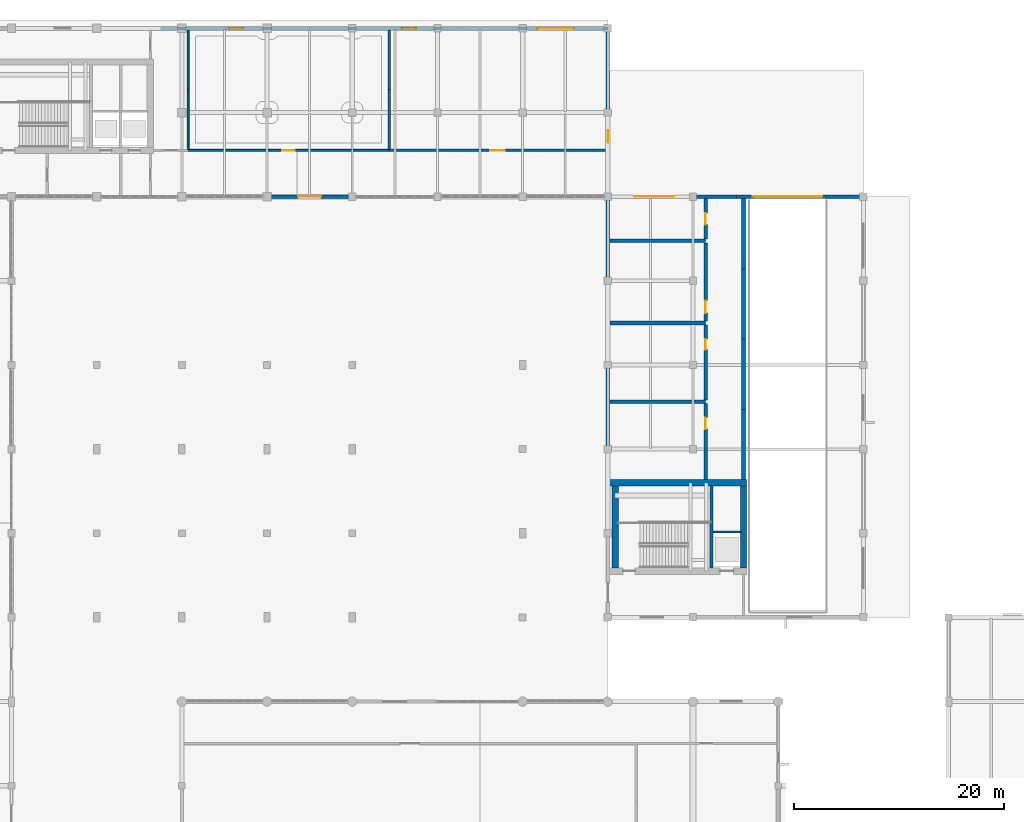
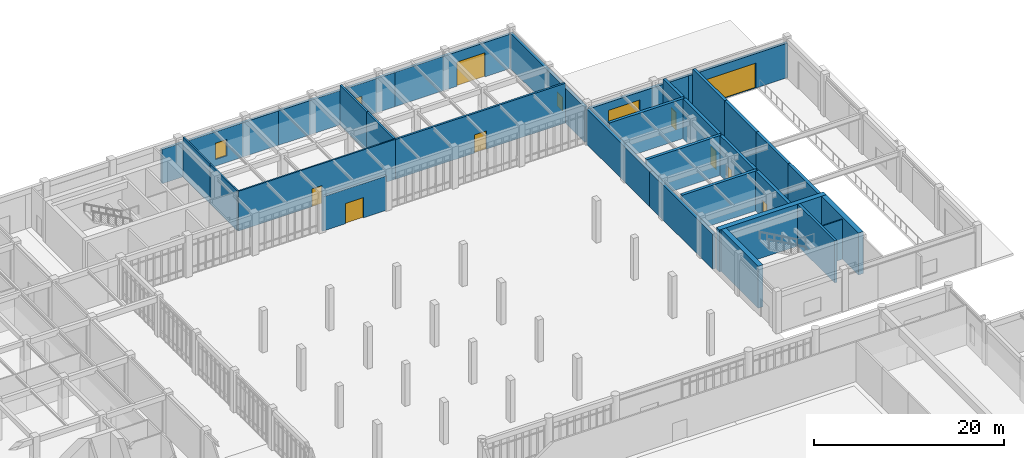
# One storey, part 47 of 62: 31 walls, 10 doors, 3 windows, 13 openings.
"""IFC4 building model written with IfcOpenShell, lengths in metres."""

from ifc_helpers import new_model, si_unit, direction, frame, frame_2d, origin, place, context, subcontext, project, spatial, rectangle, extrude, material, layer, layer_set, type_object, element, fill, save


model = new_model("IFC4")

# Units and contexts
model_context = context("Model", 3, precision=1e-05, world=origin(), true_north=direction((0.0, 1.0)))
body_context = subcontext(model_context, "Body", "Model", "MODEL_VIEW")
ifc_project = project(units=[si_unit("LENGTHUNIT", "METRE"), si_unit("AREAUNIT", "SQUARE_METRE"), si_unit("VOLUMEUNIT", "CUBIC_METRE"), si_unit("PLANEANGLEUNIT", "RADIAN"), si_unit("MASSUNIT", "GRAM", prefix="KILO")], contexts=[model_context])

# Site, building, storey
site_placement = place(None, origin())
site = spatial("IfcSite", under=ifc_project, at=site_placement, CompositionType="ELEMENT")
building_placement = place(site_placement, origin())
building = spatial("IfcBuilding", under=site, at=building_placement, Name="Tarnveldt Square Police Headquarters", CompositionType="ELEMENT")
storey_placement = place(building_placement, origin())
storey = spatial("IfcBuildingStorey", under=building, at=storey_placement, Name="L00", CompositionType="ELEMENT", Elevation=0.0)

# Walls
ifc_material_1 = material(Name="Concrete 50 MPa", Category="concrete")
ifc_layer_1 = layer(ifc_material_1, 0.449951171875)
ifc_layer_set_1 = layer_set([ifc_layer_1], Name="Concrete 50 MPa")
wall_type_1 = type_object("IfcWallType", Name="WL-CORE-450", PredefinedType="SHEAR", material=ifc_layer_set_1)
wall_1_placement = place(storey_placement, frame((115.14990234375, 60.699951171875, 0.0), z_axis=(0.0, 0.0, 1.0), x_axis=(0.0, 1.0, 0.0)))
element("IfcWall", 1, at=wall_1_placement, inside=storey, type_object=wall_type_1, Name="Core K4 East Custody and Tactical Core L00 Stair-Lift Divider Shear Wall", PredefinedType="SHEAR", context=body_context, shape_type="SweptSolid", body=[
    extrude(rectangle(XDim=7.800048828125, YDim=0.300048828125, at=frame_2d((3.89990234375, 0.0))), origin(), (0.0, 0.0, 1.0), 5.39990234375),
])
ifc_layer_2 = layer(ifc_material_1, 0.60009765625)
ifc_layer_set_2 = layer_set([ifc_layer_2], Name="Concrete 50 MPa")
wall_type_2 = type_object("IfcWallType", Name="WL-CORE-600", PredefinedType="SHEAR", material=ifc_layer_set_2)
wall_2_placement = place(storey_placement, frame((105.47998046875, 68.800048828125, 0.0), z_axis=(0.0, 0.0, 1.0), x_axis=(1.0, 0.0, 0.0)))
element("IfcWall", 2, at=wall_2_placement, inside=storey, type_object=wall_type_2, Name="Core K4 East Custody and Tactical Core L00 North Shear Wall", PredefinedType="SHEAR", context=body_context, shape_type="SweptSolid", body=[
    extrude(rectangle(XDim=13.02001953125, YDim=0.60009765625, at=frame_2d((6.510009765625, 0.0))), origin(), (0.0, 0.0, 1.0), 5.39990234375),
])
for number, where, z_axis, x_axis, name in (
    (3, (106.0, 60.699951171875, 0.0), (0.0, 0.0, 1.0), (0.0, 1.0, 0.0), "Core K4 East Custody and Tactical Core L00 West Shear Wall"),
    (4, (118.199951171875, 60.699951171875, 0.0), (0.0, 0.0, 1.0), (0.0, 1.0, 0.0), "Core K4 East Custody and Tactical Core L00 East Shear Wall"),
):
    element("IfcWall", number, at=place(storey_placement, frame(where, z_axis=z_axis, x_axis=x_axis)), inside=storey, type_object=wall_type_2, Name=name, PredefinedType="SHEAR", context=body_context, shape_type="SweptSolid", body=[
        extrude(rectangle(XDim=7.800048828125, YDim=0.60009765625, at=frame_2d((3.89990234375, 0.0))), origin(), (0.0, 0.0, 1.0), 5.39990234375),
    ])

# Wall, opening, window
ifc_material_2 = material(Name="Concrete 40 MPa", Category="concrete")
ifc_layer_3 = layer(ifc_material_2, 0.35009765625)
ifc_layer_set_3 = layer_set([ifc_layer_3], Name="Concrete 40 MPa")
wall_type_3 = type_object("IfcWallType", Name="WL-CUST-350", PredefinedType="SOLIDWALL", material=ifc_layer_set_3)
wall_3_placement = place(storey_placement, frame((105.300048828125, 96.179931640625, 0.0), z_axis=(0.0, 0.0, 1.0), x_axis=(0.0, 1.0, 0.0)))
wall_3 = element("IfcWall", 5, at=wall_3_placement, inside=storey, type_object=wall_type_3, Name="L00 Brutalist Exterior Wall 0031", PredefinedType="SOLIDWALL", context=body_context, shape_type="SweptSolid", body=[
    extrude(rectangle(XDim=15.820068359375, YDim=0.35009765625, at=frame_2d((7.91015625, 0.0))), origin(), (0.0, 0.0, 1.0), 4.511962890625),
])
opening_1_placement = place(wall_3_placement, frame((4.949951171875, 0.0, 0.949951171875)))
opening_1 = element("IfcOpeningElement", 6, at=opening_1_placement, cuts=wall_3, Name="Opening W04", PredefinedType="OPENING", context=body_context, shape_type="SweptSolid", body=[
    extrude(rectangle(XDim=1.199951171875, YDim=1.800048828125, at=frame_2d((0.60009765625, 0.89990234375))), frame((0.0, 0.18505859375, 0.0), z_axis=(0.0, -1.0, 0.0), x_axis=(1.0, 0.0, 0.0)), (0.0, 0.0, 1.0), 0.3701171875),
])
ifc_material_3 = material(Name="Triple-glazed low-e laminated vision glass", Category="glass")
window_type_1 = type_object("IfcWindowType", Name="WIN-DR-120x180", PartitioningType="SINGLE_PANEL", PredefinedType="WINDOW", material=ifc_material_3)
window_1_placement = place(opening_1_placement, origin())
window_1 = element("IfcWindow", 7, at=window_1_placement, inside=storey, type_object=window_type_1, Name="L00 Deep-Reveal Brutalist Window 0004", OverallHeight=1.800048828125, OverallWidth=1.199951171875, PartitioningType="SINGLE_PANEL", PredefinedType="WINDOW", context=body_context, shape_type="SweptSolid", body=[
    extrude(rectangle(XDim=1.199951171875, YDim=1.800048828125, at=frame_2d((0.60009765625, 0.89990234375))), frame((0.0, 0.030029296875, 0.0), z_axis=(0.0, -1.0, 0.0), x_axis=(1.0, 0.0, 0.0)), (0.0, 0.0, 1.0), 0.06005859375),
])
fill(opening_1, window_1)

# Wall, opening, door
wall_4_placement = place(storey_placement, frame((129.60009765625, 96.0, 0.0), z_axis=(0.0, 0.0, 1.0), x_axis=(-1.0, 0.0, 0.0)))
wall_4 = element("IfcWall", 8, at=wall_4_placement, inside=storey, type_object=wall_type_3, Name="L00 Brutalist Exterior Wall 0054", PredefinedType="SOLIDWALL", context=body_context, shape_type="SweptSolid", body=[
    extrude(rectangle(XDim=12.06005859375, YDim=0.35009765625, at=frame_2d((6.030029296875, 0.0))), origin(), (0.0, 0.0, 1.0), 4.424072265625),
])
opening_2_placement = place(wall_4_placement, frame((3.89990234375, 0.0, 0.0)))
opening_2 = element("IfcOpeningElement", 9, at=opening_2_placement, cuts=wall_4, Name="Opening D-VR1", PredefinedType="OPENING", context=body_context, shape_type="SweptSolid", body=[
    extrude(rectangle(XDim=6.60009765625, YDim=3.199951171875, at=frame_2d((3.300048828125, 1.60009765625))), frame((0.0, 0.18505859375, 0.0), z_axis=(0.0, -1.0, 0.0), x_axis=(1.0, 0.0, 0.0)), (0.0, 0.0, 1.0), 0.3701171875),
])
ifc_material_4 = material(Name="Steel 350W", Category="steel")
door_type_1 = type_object("IfcDoorType", Name="GT-VR1-6600", OperationType="ROLLINGUP", PredefinedType="GATE", material=ifc_material_4)
door_1_placement = place(opening_2_placement, frame((6.60009765625, 0.0, 0.0), z_axis=(0.0, 0.0, 1.0), x_axis=(-1.0, 0.0, 0.0)))
door_1 = element("IfcDoor", 10, at=door_1_placement, inside=storey, type_object=door_type_1, Name="Vehicle Ramp VR1 Security Roller Shutter Gate D-VR1", OperationType="ROLLINGUP", OverallHeight=3.199951171875, OverallWidth=6.60009765625, PredefinedType="GATE", context=body_context, shape_type="SweptSolid", body=[
    extrude(rectangle(XDim=6.60009765625, YDim=3.199951171875, at=frame_2d((3.300048828125, 1.60009765625))), frame((0.0, 0.02490234375, 0.0), z_axis=(0.0, -1.0, 0.0), x_axis=(1.0, 0.0, 0.0)), (0.0, 0.0, 1.0), 0.050048828125),
])
fill(opening_2, door_1)

wall_5_placement = place(storey_placement, frame((117.5400390625, 96.0, 0.0), z_axis=(0.0, 0.0, 1.0), x_axis=(-1.0, 0.0, 0.0)))
wall_5 = element("IfcWall", 11, at=wall_5_placement, inside=storey, type_object=wall_type_3, Name="L00 Brutalist Exterior Wall 0055", PredefinedType="SOLIDWALL", context=body_context, shape_type="SweptSolid", body=[
    extrude(rectangle(XDim=12.06005859375, YDim=0.35009765625, at=frame_2d((6.030029296875, 0.0))), origin(), (0.0, 0.0, 1.0), 4.424072265625),
])
opening_3_placement = place(wall_5_placement, frame((5.93896484375, 0.0, 0.0)))
opening_3 = element("IfcOpeningElement", 12, at=opening_3_placement, cuts=wall_5, Name="Opening D-SP1", PredefinedType="OPENING", context=body_context, shape_type="SweptSolid", body=[
    extrude(rectangle(XDim=3.800048828125, YDim=3.39990234375, at=frame_2d((1.89990234375, 1.699951171875))), frame((0.0, 0.18505859375, 0.0), z_axis=(0.0, -1.0, 0.0), x_axis=(1.0, 0.0, 0.0)), (0.0, 0.0, 1.0), 0.3701171875),
])
door_type_2 = type_object("IfcDoorType", Name="GT-SP-3800", OperationType="ROLLINGUP", PredefinedType="GATE", material=ifc_material_4)
door_2_placement = place(opening_3_placement, frame((3.800048828125, 0.0, 0.0), z_axis=(0.0, 0.0, 1.0), x_axis=(-1.0, 0.0, 0.0)))
door_2 = element("IfcDoor", 13, at=door_2_placement, inside=storey, type_object=door_type_2, Name="Secure Vehicular Sally-Port Gate D-SP1", OperationType="ROLLINGUP", OverallHeight=3.39990234375, OverallWidth=3.800048828125, PredefinedType="GATE", context=body_context, shape_type="SweptSolid", body=[
    extrude(rectangle(XDim=3.800048828125, YDim=3.39990234375, at=frame_2d((1.89990234375, 1.699951171875))), frame((0.0, 0.02490234375, 0.0), z_axis=(0.0, -1.0, 0.0), x_axis=(1.0, 0.0, 0.0)), (0.0, 0.0, 1.0), 0.050048828125),
])
fill(opening_3, door_2)

# Walls
wall_6_placement = place(storey_placement, frame((105.300048828125, 95.820068359375, 0.0), z_axis=(0.0, 0.0, 1.0), x_axis=(0.0, -1.0, 0.0)))
element("IfcWall", 14, at=wall_6_placement, inside=storey, type_object=wall_type_3, Name="L00 Brutalist Exterior Wall 0056", PredefinedType="SOLIDWALL", context=body_context, shape_type="SweptSolid", body=[
    extrude(rectangle(XDim=13.2734375, YDim=0.35009765625, at=frame_2d((6.63671875, 0.0))), origin(), (0.0, 0.0, 1.0), 4.511962890625),
])
wall_7_placement = place(storey_placement, frame((105.300048828125, 82.546630859375, 0.0), z_axis=(0.0, 0.0, 1.0), x_axis=(0.0, -1.0, 0.0)))
element("IfcWall", 15, at=wall_7_placement, inside=storey, type_object=wall_type_3, Name="L00 Brutalist Exterior Wall 0057", PredefinedType="SOLIDWALL", context=body_context, shape_type="SweptSolid", body=[
    extrude(rectangle(XDim=13.273193359375, YDim=0.35009765625, at=frame_2d((6.63671875, 0.0))), origin(), (0.0, 0.0, 1.0), 4.511962890625),
])
for number, where, z_axis, x_axis, name in (
    (16, (105.48291015625, 76.5, 0.0), (0.0, 0.0, 1.0), (1.0, 0.0, 0.0), "L00 Interior Partition Wall 0136"),
    (17, (105.48291015625, 84.0, 0.0), (0.0, 0.0, 1.0), (1.0, 0.0, 0.0), "L00 Interior Partition Wall 0137"),
    (18, (105.48291015625, 91.800048828125, 0.0), (0.0, 0.0, 1.0), (1.0, 0.0, 0.0), "L00 Interior Partition Wall 0138"),
):
    element("IfcWall", number, at=place(storey_placement, frame(where, z_axis=z_axis, x_axis=x_axis)), inside=storey, type_object=wall_type_3, Name=name, PredefinedType="SOLIDWALL", context=body_context, shape_type="SweptSolid", body=[
        extrude(rectangle(XDim=9.1171875, YDim=0.35009765625, at=frame_2d((4.55859375, 0.0))), origin(), (0.0, 0.0, 1.0), 5.1201171875),
    ])

# Wall, opening, door
wall_8_placement = place(storey_placement, frame((114.60009765625, 69.10791015625, 0.0), z_axis=(0.0, 0.0, 1.0), x_axis=(0.0, 1.0, 0.0)))
wall_8 = element("IfcWall", 19, at=wall_8_placement, inside=storey, type_object=wall_type_3, Name="L00 Interior Partition Wall 0193", PredefinedType="SOLIDWALL", context=body_context, shape_type="SweptSolid", body=[
    extrude(rectangle(XDim=7.208984375, YDim=0.35009765625, at=frame_2d((3.6044921875, 0.0))), origin(), (0.0, 0.0, 1.0), 5.1201171875),
])
opening_4_placement = place(wall_8_placement, frame((4.78466796875, 0.0, 0.0)))
opening_4 = element("IfcOpeningElement", 20, at=opening_4_placement, cuts=wall_8, Name="Opening D12", PredefinedType="OPENING", context=body_context, shape_type="SweptSolid", body=[
    extrude(rectangle(XDim=1.10009765625, YDim=2.25, at=frame_2d((0.550048828125, 1.125))), frame((0.0, 0.18505859375, 0.0), z_axis=(0.0, -1.0, 0.0), x_axis=(1.0, 0.0, 0.0)), (0.0, 0.0, 1.0), 0.3701171875),
])
door_type_3 = type_object("IfcDoorType", Name="DR-SEC-1100", OperationType="NOTDEFINED", PredefinedType="DOOR", material=ifc_material_4)
door_3_placement = place(opening_4_placement, origin())
door_3 = element("IfcDoor", 21, at=door_3_placement, inside=storey, type_object=door_type_3, Name="Custody Suite Booking and Charge Desk Door", OperationType="SINGLE_SWING_LEFT", OverallHeight=2.25, OverallWidth=1.10009765625, PredefinedType="DOOR", context=body_context, shape_type="SweptSolid", body=[
    extrude(rectangle(XDim=1.10009765625, YDim=2.25, at=frame_2d((0.550048828125, 1.125))), frame((0.0, 0.02490234375, 0.0), z_axis=(0.0, -1.0, 0.0), x_axis=(1.0, 0.0, 0.0)), (0.0, 0.0, 1.0), 0.050048828125),
])
fill(opening_4, door_3)

wall_9_placement = place(storey_placement, frame((114.60009765625, 76.68310546875, 0.0), z_axis=(0.0, 0.0, 1.0), x_axis=(0.0, 1.0, 0.0)))
wall_9 = element("IfcWall", 22, at=wall_9_placement, inside=storey, type_object=wall_type_3, Name="L00 Interior Partition Wall 0194", PredefinedType="SOLIDWALL", context=body_context, shape_type="SweptSolid", body=[
    extrude(rectangle(XDim=7.1337890625, YDim=0.35009765625, at=frame_2d((3.56689453125, 0.0))), origin(), (0.0, 0.0, 1.0), 5.1201171875),
])
opening_5_placement = place(wall_9_placement, frame((4.779052734375, 0.0, 0.0)))
opening_5 = element("IfcOpeningElement", 23, at=opening_5_placement, cuts=wall_9, Name="Opening D11", PredefinedType="OPENING", context=body_context, shape_type="SweptSolid", body=[
    extrude(rectangle(XDim=1.0, YDim=2.10009765625, at=frame_2d((0.5, 1.050048828125))), frame((0.0, 0.18505859375, 0.0), z_axis=(0.0, -1.0, 0.0), x_axis=(1.0, 0.0, 0.0)), (0.0, 0.0, 1.0), 0.3701171875),
])
door_type_4 = type_object("IfcDoorType", Name="DR-CELL-1000", OperationType="SLIDING_TO_LEFT", PredefinedType="DOOR", material=ifc_material_4)
door_4_placement = place(opening_5_placement, origin())
door_4 = element("IfcDoor", 24, at=door_4_placement, inside=storey, type_object=door_type_4, Name="Custody Suite Adult Holding Cells Door", OperationType="SLIDING_TO_LEFT", OverallHeight=2.10009765625, OverallWidth=1.0, PredefinedType="DOOR", context=body_context, shape_type="SweptSolid", body=[
    extrude(rectangle(XDim=1.0, YDim=2.10009765625, at=frame_2d((0.5, 1.050048828125))), frame((0.0, 0.02490234375, 0.0), z_axis=(0.0, -1.0, 0.0), x_axis=(1.0, 0.0, 0.0)), (0.0, 0.0, 1.0), 0.050048828125),
])
fill(opening_5, door_4)

wall_10_placement = place(storey_placement, frame((114.60009765625, 84.18310546875, 0.0), z_axis=(0.0, 0.0, 1.0), x_axis=(0.0, 1.0, 0.0)))
wall_10 = element("IfcWall", 25, at=wall_10_placement, inside=storey, type_object=wall_type_3, Name="L00 Interior Partition Wall 0195", PredefinedType="SOLIDWALL", context=body_context, shape_type="SweptSolid", body=[
    extrude(rectangle(XDim=7.433837890625, YDim=0.35009765625, at=frame_2d((3.716796875, 0.0))), origin(), (0.0, 0.0, 1.0), 5.1201171875),
])
opening_6_placement = place(wall_10_placement, frame((0.738037109375, 0.0, 0.0)))
opening_6 = element("IfcOpeningElement", 26, at=opening_6_placement, cuts=wall_10, Name="Opening D13", PredefinedType="OPENING", context=body_context, shape_type="SweptSolid", body=[
    extrude(rectangle(XDim=1.199951171875, YDim=2.35009765625, at=frame_2d((0.60009765625, 1.175048828125))), frame((0.0, 0.18505859375, 0.0), z_axis=(0.0, -1.0, 0.0), x_axis=(1.0, 0.0, 0.0)), (0.0, 0.0, 1.0), 0.3701171875),
])
door_type_5 = type_object("IfcDoorType", Name="DR-SEC-1200", OperationType="NOTDEFINED", PredefinedType="DOOR", material=ifc_material_4)
door_5_placement = place(opening_6_placement, origin())
door_5 = element("IfcDoor", 27, at=door_5_placement, inside=storey, type_object=door_type_5, Name="Drive-Through Vehicular Sally Port Door", OperationType="SINGLE_SWING_RIGHT", OverallHeight=2.35009765625, OverallWidth=1.199951171875, PredefinedType="DOOR", context=body_context, shape_type="SweptSolid", body=[
    extrude(rectangle(XDim=1.199951171875, YDim=2.35009765625, at=frame_2d((0.60009765625, 1.175048828125))), frame((0.0, 0.02490234375, 0.0), z_axis=(0.0, -1.0, 0.0), x_axis=(1.0, 0.0, 0.0)), (0.0, 0.0, 1.0), 0.050048828125),
])
fill(opening_6, door_5)

wall_11_placement = place(storey_placement, frame((114.60009765625, 91.98291015625, 0.0), z_axis=(0.0, 0.0, 1.0), x_axis=(0.0, 1.0, 0.0)))
wall_11 = element("IfcWall", 28, at=wall_11_placement, inside=storey, type_object=wall_type_3, Name="L00 Interior Partition Wall 0196", PredefinedType="SOLIDWALL", context=body_context, shape_type="SweptSolid", body=[
    extrude(rectangle(XDim=3.833984375, YDim=0.35009765625, at=frame_2d((1.9169921875, 0.0))), origin(), (0.0, 0.0, 1.0), 5.1201171875),
])
opening_7_placement = place(wall_11_placement, frame((1.366943359375, 0.0, 0.0)))
opening_7 = element("IfcOpeningElement", 29, at=opening_7_placement, cuts=wall_11, Name="Opening D12", PredefinedType="OPENING", context=body_context, shape_type="SweptSolid", body=[
    extrude(rectangle(XDim=1.10009765625, YDim=2.25, at=frame_2d((0.550048828125, 1.125))), frame((0.0, 0.18505859375, 0.0), z_axis=(0.0, -1.0, 0.0), x_axis=(1.0, 0.0, 0.0)), (0.0, 0.0, 1.0), 0.3701171875),
])
door_6_placement = place(opening_7_placement, origin())
door_6 = element("IfcDoor", 30, at=door_6_placement, inside=storey, type_object=door_type_3, Name="Custody North Exit Corridor Door", OperationType="SINGLE_SWING_LEFT", OverallHeight=2.25, OverallWidth=1.10009765625, PredefinedType="DOOR", context=body_context, shape_type="SweptSolid", body=[
    extrude(rectangle(XDim=1.10009765625, YDim=2.25, at=frame_2d((0.550048828125, 1.125))), frame((0.0, 0.02490234375, 0.0), z_axis=(0.0, -1.0, 0.0), x_axis=(1.0, 0.0, 0.0)), (0.0, 0.0, 1.0), 0.050048828125),
])
fill(opening_7, door_6)

# Walls
for number, where, z_axis, x_axis, name in (
    (31, (118.199951171875, 69.10791015625, 0.0), (0.0, 0.0, 1.0), (0.0, 1.0, 0.0), "L00 Interior Partition Wall 0198"),
    (32, (118.199951171875, 75.78515625, 0.0), (0.0, 0.0, 1.0), (0.0, 1.0, 0.0), "L00 Interior Partition Wall 0199"),
    (33, (118.199951171875, 82.46240234375, 0.0), (0.0, 0.0, 1.0), (0.0, 1.0, 0.0), "L00 Interior Partition Wall 0200"),
    (34, (118.199951171875, 89.1396484375, 0.0), (0.0, 0.0, 1.0), (0.0, 1.0, 0.0), "L00 Interior Partition Wall 0201"),
):
    element("IfcWall", number, at=place(storey_placement, frame(where, z_axis=z_axis, x_axis=x_axis)), inside=storey, type_object=wall_type_3, Name=name, PredefinedType="SOLIDWALL", context=body_context, shape_type="SweptSolid", body=[
        extrude(rectangle(XDim=6.67724609375, YDim=0.35009765625, at=frame_2d((3.338623046875, 0.0))), origin(), (0.0, 0.0, 1.0), 5.1201171875),
    ])

# Wall, opening, door
ifc_material_5 = material(Name="Manganese ironspot clay brick masonry 20 MPa", Category="masonry")
ifc_layer_4 = layer(ifc_material_5, 0.300048828125)
ifc_layer_set_4 = layer_set([ifc_layer_4], Name="Manganese ironspot clay brick masonry 20 MPa")
wall_type_4 = type_object("IfcWallType", Name="WL-EXT-BRK300", PredefinedType="SOLIDWALL", material=ifc_layer_set_4)
wall_12_placement = place(storey_placement, frame((73.080078125, 96.0, 0.0), z_axis=(0.0, 0.0, 1.0), x_axis=(1.0, 0.0, 0.0)))
wall_12 = element("IfcWall", 35, at=wall_12_placement, inside=storey, type_object=wall_type_4, Name="L00 Brutalist Exterior Wall 0030", PredefinedType="SOLIDWALL", context=body_context, shape_type="SweptSolid", body=[
    extrude(rectangle(XDim=7.739990234375, YDim=0.300048828125, at=frame_2d((3.8701171875, 0.0))), origin(), (0.0, 0.0, 1.0), 4.412109375),
])
opening_8_placement = place(wall_12_placement, frame((2.77001953125, 0.0, 0.0)))
opening_8 = element("IfcOpeningElement", 36, at=opening_8_placement, cuts=wall_12, Name="Opening D-E14", PredefinedType="OPENING", context=body_context, shape_type="SweptSolid", body=[
    extrude(rectangle(XDim=2.199951171875, YDim=2.60009765625, at=frame_2d((1.10009765625, 1.300048828125))), frame((0.0, 0.159912109375, 0.0), z_axis=(0.0, -1.0, 0.0), x_axis=(1.0, 0.0, 0.0)), (0.0, 0.0, 1.0), 0.320068359375),
])
ifc_material_6 = material(Name="Thermally broken anodised aluminium 6063-T6", Category="aluminium")
door_type_6 = type_object("IfcDoorType", Name="DR-EXIT-2200", OperationType="DOUBLE_DOOR_SINGLE_SWING", PredefinedType="DOOR", material=ifc_material_6)
door_7_placement = place(opening_8_placement, frame((2.199951171875, 0.0, 0.0), z_axis=(0.0, 0.0, 1.0), x_axis=(-1.0, 0.0, 0.0)))
door_7 = element("IfcDoor", 37, at=door_7_placement, inside=storey, type_object=door_type_6, Name="Pedestrian Grade Final Exit Door D-E14", OperationType="DOUBLE_DOOR_SINGLE_SWING", OverallHeight=2.60009765625, OverallWidth=2.199951171875, PredefinedType="DOOR", context=body_context, shape_type="SweptSolid", body=[
    extrude(rectangle(XDim=2.199951171875, YDim=2.60009765625, at=frame_2d((1.10009765625, 1.300048828125))), frame((0.0, 0.02490234375, 0.0), z_axis=(0.0, -1.0, 0.0), x_axis=(1.0, 0.0, 0.0)), (0.0, 0.0, 1.0), 0.050048828125),
])
fill(opening_8, door_7)

wall_13_placement = place(storey_placement, frame((105.300048828125, 112.0, 0.0), z_axis=(0.0, 0.0, 1.0), x_axis=(-1.0, 0.0, 0.0)))
wall_13 = element("IfcWall", 38, at=wall_13_placement, inside=storey, type_object=wall_type_4, Name="L00 Brutalist Exterior Wall 0032", PredefinedType="SOLIDWALL", context=body_context, shape_type="SweptSolid", body=[
    extrude(rectangle(XDim=14.175048828125, YDim=0.300048828125, at=frame_2d((7.08740234375, 0.0))), origin(), (0.0, 0.0, 1.0), 4.412109375),
])
opening_9_placement = place(wall_13_placement, frame((3.26123046875, 0.0, 0.0)))
opening_9 = element("IfcOpeningElement", 39, at=opening_9_placement, cuts=wall_13, Name="Opening D-SP4", PredefinedType="OPENING", context=body_context, shape_type="SweptSolid", body=[
    extrude(rectangle(XDim=3.39990234375, YDim=3.10009765625, at=frame_2d((1.699951171875, 1.550048828125))), frame((0.0, 0.159912109375, 0.0), z_axis=(0.0, -1.0, 0.0), x_axis=(1.0, 0.0, 0.0)), (0.0, 0.0, 1.0), 0.320068359375),
])
door_type_7 = type_object("IfcDoorType", Name="GT-EV-3400", OperationType="ROLLINGUP", PredefinedType="GATE", material=ifc_material_4)
door_8_placement = place(opening_9_placement, frame((3.39990234375, 0.0, 0.0), z_axis=(0.0, 0.0, 1.0), x_axis=(-1.0, 0.0, 0.0)))
door_8 = element("IfcDoor", 40, at=door_8_placement, inside=storey, type_object=door_type_7, Name="Secure Vehicular Sally-Port Gate D-SP4", OperationType="ROLLINGUP", OverallHeight=3.10009765625, OverallWidth=3.39990234375, PredefinedType="GATE", context=body_context, shape_type="SweptSolid", body=[
    extrude(rectangle(XDim=3.39990234375, YDim=3.10009765625, at=frame_2d((1.699951171875, 1.550048828125))), frame((0.0, 0.02490234375, 0.0), z_axis=(0.0, -1.0, 0.0), x_axis=(1.0, 0.0, 0.0)), (0.0, 0.0, 1.0), 0.050048828125),
])
fill(opening_9, door_8)

# Wall, opening, window
wall_14_placement = place(storey_placement, frame((91.125, 112.0, 0.0), z_axis=(0.0, 0.0, 1.0), x_axis=(-1.0, 0.0, 0.0)))
wall_14 = element("IfcWall", 41, at=wall_14_placement, inside=storey, type_object=wall_type_4, Name="L00 Brutalist Exterior Wall 0033", PredefinedType="SOLIDWALL", context=body_context, shape_type="SweptSolid", body=[
    extrude(rectangle(XDim=14.175048828125, YDim=0.300048828125, at=frame_2d((7.08740234375, 0.0))), origin(), (0.0, 0.0, 1.0), 4.412109375),
])
opening_10_placement = place(wall_14_placement, frame((4.050048828125, 0.0, 0.949951171875)))
opening_10 = element("IfcOpeningElement", 42, at=opening_10_placement, cuts=wall_14, Name="Opening W05", PredefinedType="OPENING", context=body_context, shape_type="SweptSolid", body=[
    extrude(rectangle(XDim=1.35009765625, YDim=1.800048828125, at=frame_2d((0.675048828125, 0.89990234375))), frame((0.0, 0.159912109375, 0.0), z_axis=(0.0, -1.0, 0.0), x_axis=(1.0, 0.0, 0.0)), (0.0, 0.0, 1.0), 0.320068359375),
])
window_type_2 = type_object("IfcWindowType", Name="WIN-DR-135x180", PartitioningType="DOUBLE_PANEL_VERTICAL", PredefinedType="WINDOW", material=ifc_material_3)
window_2_placement = place(opening_10_placement, origin())
window_2 = element("IfcWindow", 43, at=window_2_placement, inside=storey, type_object=window_type_2, Name="L00 Deep-Reveal Brutalist Window 0005", OverallHeight=1.800048828125, OverallWidth=1.35009765625, PartitioningType="DOUBLE_PANEL_VERTICAL", PredefinedType="WINDOW", context=body_context, shape_type="SweptSolid", body=[
    extrude(rectangle(XDim=1.35009765625, YDim=1.800048828125, at=frame_2d((0.675048828125, 0.89990234375))), frame((0.0, 0.030029296875, 0.0), z_axis=(0.0, -1.0, 0.0), x_axis=(1.0, 0.0, 0.0)), (0.0, 0.0, 1.0), 0.06005859375),
])
fill(opening_10, window_2)

wall_15_placement = place(storey_placement, frame((76.949951171875, 112.0, 0.0), z_axis=(0.0, 0.0, 1.0), x_axis=(-1.0, 0.0, 0.0)))
wall_15 = element("IfcWall", 44, at=wall_15_placement, inside=storey, type_object=wall_type_4, Name="L00 Brutalist Exterior Wall 0034", PredefinedType="SOLIDWALL", context=body_context, shape_type="SweptSolid", body=[
    extrude(rectangle(XDim=14.175048828125, YDim=0.300048828125, at=frame_2d((7.08740234375, 0.0))), origin(), (0.0, 0.0, 1.0), 4.412109375),
])
opening_11_placement = place(wall_15_placement, frame((6.300048828125, 0.0, 0.85009765625)))
opening_11 = element("IfcOpeningElement", 45, at=opening_11_placement, cuts=wall_15, Name="Opening W06", PredefinedType="OPENING", context=body_context, shape_type="SweptSolid", body=[
    extrude(rectangle(XDim=1.35009765625, YDim=2.10009765625, at=frame_2d((0.675048828125, 1.050048828125))), frame((0.0, 0.159912109375, 0.0), z_axis=(0.0, -1.0, 0.0), x_axis=(1.0, 0.0, 0.0)), (0.0, 0.0, 1.0), 0.320068359375),
])
window_type_3 = type_object("IfcWindowType", Name="WIN-DR-135x210", PartitioningType="DOUBLE_PANEL_VERTICAL", PredefinedType="WINDOW", material=ifc_material_3)
window_3_placement = place(opening_11_placement, origin())
window_3 = element("IfcWindow", 46, at=window_3_placement, inside=storey, type_object=window_type_3, Name="L00 Deep-Reveal Brutalist Window 0006", OverallHeight=2.10009765625, OverallWidth=1.35009765625, PartitioningType="DOUBLE_PANEL_VERTICAL", PredefinedType="WINDOW", context=body_context, shape_type="SweptSolid", body=[
    extrude(rectangle(XDim=1.35009765625, YDim=2.10009765625, at=frame_2d((0.675048828125, 1.050048828125))), frame((0.0, 0.030029296875, 0.0), z_axis=(0.0, -1.0, 0.0), x_axis=(1.0, 0.0, 0.0)), (0.0, 0.0, 1.0), 0.06005859375),
])
fill(opening_11, window_3)

# Wall, opening, door
ifc_material_7 = material(Name="Fire-rated Type X gypsum board on steel studs", Category="steel")
ifc_layer_5 = layer(ifc_material_7, 0.179931640625)
ifc_layer_set_5 = layer_set([ifc_layer_5], Name="Fire-rated Type X gypsum board on steel studs")
wall_type_5 = type_object("IfcWallType", Name="WL-FIRE-180", PredefinedType="PARTITIONING", material=ifc_layer_set_5)
wall_16_placement = place(storey_placement, frame((65.39990234375, 100.39990234375, 0.0), z_axis=(0.0, 0.0, 1.0), x_axis=(1.0, 0.0, 0.0)))
wall_16 = element("IfcWall", 47, at=wall_16_placement, inside=storey, type_object=wall_type_5, Name="L00 Interior Partition Wall 0134", PredefinedType="PARTITIONING", context=body_context, shape_type="SweptSolid", body=[
    extrude(rectangle(XDim=19.10009765625, YDim=0.179931640625, at=frame_2d((9.550048828125, 0.0))), origin(), (0.0, 0.0, 1.0), 5.1201171875),
])
opening_12_placement = place(wall_16_placement, frame((8.949951171875, 0.0, 0.0)))
opening_12 = element("IfcOpeningElement", 48, at=opening_12_placement, cuts=wall_16, Name="Opening D10", PredefinedType="OPENING", context=body_context, shape_type="SweptSolid", body=[
    extrude(rectangle(XDim=1.199951171875, YDim=2.300048828125, at=frame_2d((0.60009765625, 1.14990234375))), frame((0.0, 0.099853515625, 0.0), z_axis=(0.0, -1.0, 0.0), x_axis=(1.0, 0.0, 0.0)), (0.0, 0.0, 1.0), 0.199951171875),
])
ifc_material_8 = material(Name="Insulated hollow metal steel door leaf", Category="steel")
door_type_8 = type_object("IfcDoorType", Name="DR-LAB-1200", OperationType="NOTDEFINED", PredefinedType="DOOR", material=ifc_material_8)
door_9_placement = place(opening_12_placement, origin())
door_9 = element("IfcDoor", 49, at=door_9_placement, inside=storey, type_object=door_type_8, Name="Forensic Evidence Intake Laboratory Door", OperationType="SINGLE_SWING_LEFT", OverallHeight=2.300048828125, OverallWidth=1.199951171875, PredefinedType="DOOR", context=body_context, shape_type="SweptSolid", body=[
    extrude(rectangle(XDim=1.199951171875, YDim=2.300048828125, at=frame_2d((0.60009765625, 1.14990234375))), frame((0.0, 0.02490234375, 0.0), z_axis=(0.0, -1.0, 0.0), x_axis=(1.0, 0.0, 0.0)), (0.0, 0.0, 1.0), 0.050048828125),
])
fill(opening_12, door_9)

# Walls
wall_17_placement = place(storey_placement, frame((65.39990234375, 100.498046875, 0.0), z_axis=(0.0, 0.0, 1.0), x_axis=(0.0, 1.0, 0.0)))
element("IfcWall", 50, at=wall_17_placement, inside=storey, type_object=wall_type_5, Name="L00 Interior Partition Wall 0185", PredefinedType="PARTITIONING", context=body_context, shape_type="SweptSolid", body=[
    extrude(rectangle(XDim=5.671875, YDim=0.179931640625, at=frame_2d((2.8359375, 0.0))), origin(), (0.0, 0.0, 1.0), 5.1201171875),
])
wall_18_placement = place(storey_placement, frame((65.39990234375, 106.169921875, 0.0), z_axis=(0.0, 0.0, 1.0), x_axis=(0.0, 1.0, 0.0)))
element("IfcWall", 51, at=wall_18_placement, inside=storey, type_object=wall_type_5, Name="L00 Interior Partition Wall 0186", PredefinedType="PARTITIONING", context=body_context, shape_type="SweptSolid", body=[
    extrude(rectangle(XDim=5.672119140625, YDim=0.179931640625, at=frame_2d((2.8359375, 0.0))), origin(), (0.0, 0.0, 1.0), 5.1201171875),
])

# Wall, opening, door
ifc_material_9 = material(Name="Concrete block masonry 15 MPa", Category="masonry")
ifc_layer_6 = layer(ifc_material_9, 0.239990234375)
ifc_layer_set_6 = layer_set([ifc_layer_6], Name="Concrete block masonry 15 MPa")
wall_type_6 = type_object("IfcWallType", Name="WL-FIRE-240", PredefinedType="PARTITIONING", material=ifc_layer_set_6)
wall_19_placement = place(storey_placement, frame((84.5, 100.39990234375, 0.0), z_axis=(0.0, 0.0, 1.0), x_axis=(1.0, 0.0, 0.0)))
wall_19 = element("IfcWall", 52, at=wall_19_placement, inside=storey, type_object=wall_type_6, Name="L00 Interior Partition Wall 0135", PredefinedType="PARTITIONING", context=body_context, shape_type="SweptSolid", body=[
    extrude(rectangle(XDim=20.616943359375, YDim=0.239990234375, at=frame_2d((10.30859375, 0.0))), origin(), (0.0, 0.0, 1.0), 5.1201171875),
])
opening_13_placement = place(wall_19_placement, frame((9.6083984375, 0.0, 0.0)))
opening_13 = element("IfcOpeningElement", 53, at=opening_13_placement, cuts=wall_19, Name="Opening D21", PredefinedType="OPENING", context=body_context, shape_type="SweptSolid", body=[
    extrude(rectangle(XDim=1.39990234375, YDim=2.35009765625, at=frame_2d((0.699951171875, 1.175048828125))), frame((0.0, 0.1298828125, 0.0), z_axis=(0.0, -1.0, 0.0), x_axis=(1.0, 0.0, 0.0)), (0.0, 0.0, 1.0), 0.260009765625),
])
door_type_9 = type_object("IfcDoorType", Name="DR-FD90-1400", OperationType="DOUBLE_DOOR_SINGLE_SWING", PredefinedType="DOOR", material=ifc_material_8)
door_10_placement = place(opening_13_placement, origin())
door_10 = element("IfcDoor", 54, at=door_10_placement, inside=storey, type_object=door_type_9, Name="Vehicle Forensic Examination Bay Door", OperationType="DOUBLE_DOOR_SINGLE_SWING", OverallHeight=2.35009765625, OverallWidth=1.39990234375, PredefinedType="DOOR", context=body_context, shape_type="SweptSolid", body=[
    extrude(rectangle(XDim=1.39990234375, YDim=2.35009765625, at=frame_2d((0.699951171875, 1.175048828125))), frame((0.0, 0.02490234375, 0.0), z_axis=(0.0, -1.0, 0.0), x_axis=(1.0, 0.0, 0.0)), (0.0, 0.0, 1.0), 0.050048828125),
])
fill(opening_13, door_10)

# Walls
for number, where, z_axis, x_axis, name in (
    (55, (84.5, 100.528076171875, 0.0), (0.0, 0.0, 1.0), (0.0, 1.0, 0.0), "L00 Interior Partition Wall 0187"),
    (56, (84.5, 106.18505859375, 0.0), (0.0, 0.0, 1.0), (0.0, 1.0, 0.0), "L00 Interior Partition Wall 0188"),
):
    element("IfcWall", number, at=place(storey_placement, frame(where, z_axis=z_axis, x_axis=x_axis)), inside=storey, type_object=wall_type_6, Name=name, PredefinedType="PARTITIONING", context=body_context, shape_type="SweptSolid", body=[
        extrude(rectangle(XDim=5.656982421875, YDim=0.239990234375, at=frame_2d((2.82861328125, 0.0))), origin(), (0.0, 0.0, 1.0), 5.1201171875),
    ])
ifc_layer_7 = layer(ifc_material_7, 0.14990234375)
ifc_layer_set_7 = layer_set([ifc_layer_7], Name="Fire-rated Type X gypsum board on steel studs")
wall_type_7 = type_object("IfcWallType", Name="WL-SHAFT-150", PredefinedType="PARTITIONING", material=ifc_layer_set_7)
wall_20_placement = place(storey_placement, frame((115.300048828125, 64.1201171875, 0.0), z_axis=(0.0, 0.0, 1.0), x_axis=(1.0, 0.0, 0.0)))
element("IfcWall", 57, at=wall_20_placement, inside=storey, type_object=wall_type_7, Name="K4 L00 Elevator Shaft Back Wall", PredefinedType="PARTITIONING", context=body_context, shape_type="SweptSolid", body=[
    extrude(rectangle(XDim=2.64990234375, YDim=0.14990234375, at=frame_2d((1.324951171875, 0.0))), origin(), (0.0, 0.0, 1.0), 5.1201171875),
])

save(model, "model.ifc")
